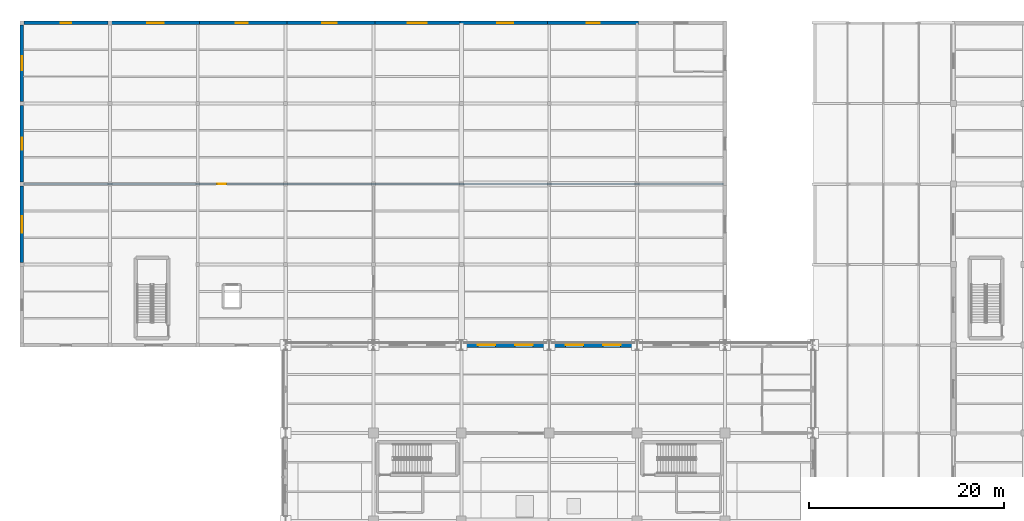
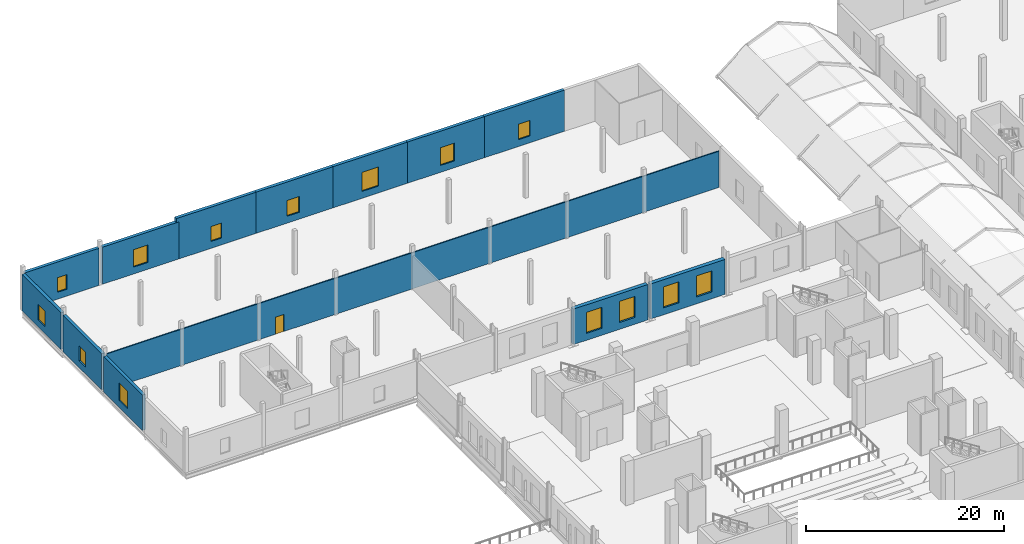
# One storey, part 120 of 141: 14 windows, 13 walls, 1 door, 15 openings.
"""IFC4 building model written with IfcOpenShell, lengths in metres."""

from ifc_helpers import new_model, si_unit, direction, frame, frame_2d, origin, place, context, subcontext, project, spatial, rectangle, extrude, material, layer, layer_set, type_object, element, fill, save


model = new_model("IFC4")

# Units and contexts
model_context = context("Model", 3, precision=1e-05, world=origin(), true_north=direction((0.0, 1.0)))
body_context = subcontext(model_context, "Body", "Model", "MODEL_VIEW")
ifc_project = project(units=[si_unit("LENGTHUNIT", "METRE"), si_unit("AREAUNIT", "SQUARE_METRE"), si_unit("VOLUMEUNIT", "CUBIC_METRE"), si_unit("PLANEANGLEUNIT", "RADIAN"), si_unit("MASSUNIT", "GRAM", prefix="KILO")], contexts=[model_context])

# Site, building, storey
site_placement = place(None, origin())
site = spatial("IfcSite", under=ifc_project, at=site_placement, CompositionType="ELEMENT")
building_placement = place(site_placement, origin())
building = spatial("IfcBuilding", under=site, at=building_placement, Name="Sundgate Opera House", CompositionType="ELEMENT")
storey_placement = place(building_placement, frame((0.0, 0.0, 11.39990234375)))
storey = spatial("IfcBuildingStorey", under=building, at=storey_placement, Name="L02", CompositionType="ELEMENT", Elevation=11.39990234375)

# Wall, opening, window
ifc_material_1 = material(Name="Scanian red-brown facing brick masonry", Category="masonry")
ifc_layer_1 = layer(ifc_material_1, 0.360107421875)
ifc_layer_set_1 = layer_set([ifc_layer_1], Name="Scanian red-brown facing brick masonry")
wall_type_1 = type_object("IfcWallType", Name="WL-EXT-BRICK-360", PredefinedType="SOLIDWALL", material=ifc_layer_set_1)
wall_1_placement = place(storey_placement, frame((0.195068359375, 120.0, 0.0), z_axis=(0.0, 0.0, 1.0), x_axis=(1.0, 0.0, 0.0)))
wall_1 = element("IfcWall", 1, at=wall_1_placement, inside=storey, type_object=wall_type_1, Name="L02 Costume Wing North Wall W0405", PredefinedType="SOLIDWALL", context=body_context, shape_type="SweptSolid", body=[
    extrude(rectangle(XDim=8.60986328125, YDim=0.360107421875, at=frame_2d((4.304931640625, 0.0))), origin(), (0.0, 0.0, 1.0), 4.585205078125),
])
opening_1_placement = place(wall_1_placement, frame((3.7548828125, 0.0, 0.85009765625)))
opening_1 = element("IfcOpeningElement", 2, at=opening_1_placement, cuts=wall_1, Name="Opening W12", PredefinedType="OPENING", context=body_context, shape_type="SweptSolid", body=[
    extrude(rectangle(XDim=1.10009765625, YDim=1.800048828125, at=frame_2d((0.550048828125, 0.89990234375))), frame((0.0, 0.18994140625, 0.0), z_axis=(0.0, -1.0, 0.0), x_axis=(1.0, 0.0, 0.0)), (0.0, 0.0, 1.0), 0.380126953125),
])
ifc_material_2 = material(Name="Low-iron triple glazing in patinated bronze frame", Category="glass")
window_type_1 = type_object("IfcWindowType", Name="WN-STAGE-1100x1800", PartitioningType="SINGLE_PANEL", PredefinedType="WINDOW", material=ifc_material_2)
window_1_placement = place(opening_1_placement, origin())
window_1 = element("IfcWindow", 3, at=window_1_placement, inside=storey, type_object=window_type_1, Name="L02 Costume Pavilion Window WN0318", OverallHeight=1.800048828125, OverallWidth=1.10009765625, PartitioningType="SINGLE_PANEL", PredefinedType="WINDOW", context=body_context, shape_type="SweptSolid", body=[
    extrude(rectangle(XDim=1.10009765625, YDim=1.800048828125, at=frame_2d((0.550048828125, 0.89990234375))), frame((0.0, 0.030029296875, 0.0), z_axis=(0.0, -1.0, 0.0), x_axis=(1.0, 0.0, 0.0)), (0.0, 0.0, 1.0), 0.06005859375),
])
fill(opening_1, window_1)

wall_2_placement = place(storey_placement, frame((9.195068359375, 120.0, 0.0), z_axis=(0.0, 0.0, 1.0), x_axis=(1.0, 0.0, 0.0)))
wall_2 = element("IfcWall", 4, at=wall_2_placement, inside=storey, type_object=wall_type_1, Name="L02 Costume Wing North Wall W0406", PredefinedType="SOLIDWALL", context=body_context, shape_type="SweptSolid", body=[
    extrude(rectangle(XDim=8.96484375, YDim=0.360107421875, at=frame_2d((4.482421875, 0.0))), origin(), (0.0, 0.0, 1.0), 4.585205078125),
])
opening_2_placement = place(wall_2_placement, frame((3.632080078125, 0.0, 0.85009765625)))
opening_2 = element("IfcOpeningElement", 5, at=opening_2_placement, cuts=wall_2, Name="Opening W13", PredefinedType="OPENING", context=body_context, shape_type="SweptSolid", body=[
    extrude(rectangle(XDim=1.699951171875, YDim=2.14990234375, at=frame_2d((0.85009765625, 1.074951171875))), frame((0.0, 0.18994140625, 0.0), z_axis=(0.0, -1.0, 0.0), x_axis=(1.0, 0.0, 0.0)), (0.0, 0.0, 1.0), 0.380126953125),
])
ifc_material_3 = material(Name="Low-iron triple glazing in patinated bronze frame", Category="glass")
window_type_2 = type_object("IfcWindowType", Name="WN-GALL-1700x2150", PartitioningType="SINGLE_PANEL", PredefinedType="WINDOW", material=ifc_material_3)
window_2_placement = place(opening_2_placement, origin())
window_2 = element("IfcWindow", 6, at=window_2_placement, inside=storey, type_object=window_type_2, Name="L02 Costume Pavilion Window WN0319", OverallHeight=2.14990234375, OverallWidth=1.699951171875, PartitioningType="SINGLE_PANEL", PredefinedType="WINDOW", context=body_context, shape_type="SweptSolid", body=[
    extrude(rectangle(XDim=1.699951171875, YDim=2.14990234375, at=frame_2d((0.85009765625, 1.074951171875))), frame((0.0, 0.030029296875, 0.0), z_axis=(0.0, -1.0, 0.0), x_axis=(1.0, 0.0, 0.0)), (0.0, 0.0, 1.0), 0.06005859375),
])
fill(opening_2, window_2)

wall_3_placement = place(storey_placement, frame((17.840087890625, 120.0, 0.0), z_axis=(0.0, 0.0, 1.0), x_axis=(1.0, 0.0, 0.0)))
wall_3 = element("IfcWall", 7, at=wall_3_placement, inside=storey, type_object=wall_type_1, Name="L02 Costume Wing North Wall W0407", PredefinedType="SOLIDWALL", context=body_context, shape_type="SweptSolid", body=[
    extrude(rectangle(XDim=9.31982421875, YDim=0.360107421875, at=frame_2d((4.659912109375, 0.0))), origin(), (0.0, 0.0, 1.0), 5.085205078125),
])
opening_3_placement = place(wall_3_placement, frame((4.034912109375, 0.0, 0.85009765625)))
opening_3 = element("IfcOpeningElement", 8, at=opening_3_placement, cuts=wall_3, Name="Opening W14", PredefinedType="OPENING", context=body_context, shape_type="SweptSolid", body=[
    extrude(rectangle(XDim=1.25, YDim=1.85009765625, at=frame_2d((0.625, 0.925048828125))), frame((0.0, 0.18994140625, 0.0), z_axis=(0.0, -1.0, 0.0), x_axis=(1.0, 0.0, 0.0)), (0.0, 0.0, 1.0), 0.380126953125),
])
ifc_material_4 = material(Name="Low-iron triple glazing in patinated bronze frame", Category="glass")
window_type_3 = type_object("IfcWindowType", Name="WN-DRES-1250x1850", PartitioningType="SINGLE_PANEL", PredefinedType="WINDOW", material=ifc_material_4)
window_3_placement = place(opening_3_placement, origin())
window_3 = element("IfcWindow", 9, at=window_3_placement, inside=storey, type_object=window_type_3, Name="L02 Costume Pavilion Window WN0320", OverallHeight=1.85009765625, OverallWidth=1.25, PartitioningType="SINGLE_PANEL", PredefinedType="WINDOW", context=body_context, shape_type="SweptSolid", body=[
    extrude(rectangle(XDim=1.25, YDim=1.85009765625, at=frame_2d((0.625, 0.925048828125))), frame((0.0, 0.030029296875, 0.0), z_axis=(0.0, -1.0, 0.0), x_axis=(1.0, 0.0, 0.0)), (0.0, 0.0, 1.0), 0.06005859375),
])
fill(opening_3, window_3)

wall_4_placement = place(storey_placement, frame((26.840087890625, 120.0, 0.0), z_axis=(0.0, 0.0, 1.0), x_axis=(1.0, 0.0, 0.0)))
wall_4 = element("IfcWall", 10, at=wall_4_placement, inside=storey, type_object=wall_type_1, Name="L02 Costume Wing North Wall W0408", PredefinedType="SOLIDWALL", context=body_context, shape_type="SweptSolid", body=[
    extrude(rectangle(XDim=9.31982421875, YDim=0.360107421875, at=frame_2d((4.659912109375, 0.0))), origin(), (0.0, 0.0, 1.0), 5.085205078125),
])
opening_4_placement = place(wall_4_placement, frame((3.93505859375, 0.0, 0.85009765625)))
opening_4 = element("IfcOpeningElement", 11, at=opening_4_placement, cuts=wall_4, Name="Opening W15", PredefinedType="OPENING", context=body_context, shape_type="SweptSolid", body=[
    extrude(rectangle(XDim=1.449951171875, YDim=1.949951171875, at=frame_2d((0.72509765625, 0.97509765625))), frame((0.0, 0.18994140625, 0.0), z_axis=(0.0, -1.0, 0.0), x_axis=(1.0, 0.0, 0.0)), (0.0, 0.0, 1.0), 0.380126953125),
])
ifc_material_5 = material(Name="Low-iron triple glazing in patinated bronze frame", Category="glass")
window_type_4 = type_object("IfcWindowType", Name="WN-LIBR-1450x1950", PartitioningType="SINGLE_PANEL", PredefinedType="WINDOW", material=ifc_material_5)
window_4_placement = place(opening_4_placement, origin())
window_4 = element("IfcWindow", 12, at=window_4_placement, inside=storey, type_object=window_type_4, Name="L02 Costume Pavilion Window WN0321", OverallHeight=1.949951171875, OverallWidth=1.449951171875, PartitioningType="SINGLE_PANEL", PredefinedType="WINDOW", context=body_context, shape_type="SweptSolid", body=[
    extrude(rectangle(XDim=1.449951171875, YDim=1.949951171875, at=frame_2d((0.72509765625, 0.97509765625))), frame((0.0, 0.030029296875, 0.0), z_axis=(0.0, -1.0, 0.0), x_axis=(1.0, 0.0, 0.0)), (0.0, 0.0, 1.0), 0.06005859375),
])
fill(opening_4, window_4)

wall_5_placement = place(storey_placement, frame((35.840087890625, 120.0, 0.0), z_axis=(0.0, 0.0, 1.0), x_axis=(1.0, 0.0, 0.0)))
wall_5 = element("IfcWall", 13, at=wall_5_placement, inside=storey, type_object=wall_type_1, Name="L02 Costume Wing North Wall W0409", PredefinedType="SOLIDWALL", context=body_context, shape_type="SweptSolid", body=[
    extrude(rectangle(XDim=9.31982421875, YDim=0.360107421875, at=frame_2d((4.659912109375, 0.0))), origin(), (0.0, 0.0, 1.0), 5.085205078125),
])
opening_5_placement = place(wall_5_placement, frame((3.68505859375, 0.0, 0.85009765625)))
opening_5 = element("IfcOpeningElement", 14, at=opening_5_placement, cuts=wall_5, Name="Opening W16", PredefinedType="OPENING", context=body_context, shape_type="SweptSolid", body=[
    extrude(rectangle(XDim=1.949951171875, YDim=2.35009765625, at=frame_2d((0.97509765625, 1.175048828125))), frame((0.0, 0.18994140625, 0.0), z_axis=(0.0, -1.0, 0.0), x_axis=(1.0, 0.0, 0.0)), (0.0, 0.0, 1.0), 0.380126953125),
])
ifc_material_6 = material(Name="Low-iron triple glazing in patinated bronze frame", Category="glass")
window_type_5 = type_object("IfcWindowType", Name="WN-REHR-1950x2350", PartitioningType="SINGLE_PANEL", PredefinedType="WINDOW", material=ifc_material_6)
window_5_placement = place(opening_5_placement, origin())
window_5 = element("IfcWindow", 15, at=window_5_placement, inside=storey, type_object=window_type_5, Name="L02 Costume Pavilion Window WN0322", OverallHeight=2.35009765625, OverallWidth=1.949951171875, PartitioningType="SINGLE_PANEL", PredefinedType="WINDOW", context=body_context, shape_type="SweptSolid", body=[
    extrude(rectangle(XDim=1.949951171875, YDim=2.35009765625, at=frame_2d((0.97509765625, 1.175048828125))), frame((0.0, 0.030029296875, 0.0), z_axis=(0.0, -1.0, 0.0), x_axis=(1.0, 0.0, 0.0)), (0.0, 0.0, 1.0), 0.06005859375),
])
fill(opening_5, window_5)

wall_6_placement = place(storey_placement, frame((44.840087890625, 120.0, 0.0), z_axis=(0.0, 0.0, 1.0), x_axis=(1.0, 0.0, 0.0)))
wall_6 = element("IfcWall", 16, at=wall_6_placement, inside=storey, type_object=wall_type_1, Name="L02 Costume Wing North Wall W0410", PredefinedType="SOLIDWALL", context=body_context, shape_type="SweptSolid", body=[
    extrude(rectangle(XDim=9.31982421875, YDim=0.360107421875, at=frame_2d((4.659912109375, 0.0))), origin(), (0.0, 0.0, 1.0), 5.085205078125),
])
opening_6_placement = place(wall_6_placement, frame((3.8349609375, 0.0, 0.85009765625)))
opening_6 = element("IfcOpeningElement", 17, at=opening_6_placement, cuts=wall_6, Name="Opening W09", PredefinedType="OPENING", context=body_context, shape_type="SweptSolid", body=[
    extrude(rectangle(XDim=1.64990234375, YDim=2.199951171875, at=frame_2d((0.824951171875, 1.10009765625))), frame((0.0, 0.18994140625, 0.0), z_axis=(0.0, -1.0, 0.0), x_axis=(1.0, 0.0, 0.0)), (0.0, 0.0, 1.0), 0.380126953125),
])
ifc_material_7 = material(Name="Low-iron triple glazing in patinated bronze frame", Category="glass")
window_type_6 = type_object("IfcWindowType", Name="WN-COST-1650x2200", PartitioningType="SINGLE_PANEL", PredefinedType="WINDOW", material=ifc_material_7)
window_6_placement = place(opening_6_placement, origin())
window_6 = element("IfcWindow", 18, at=window_6_placement, inside=storey, type_object=window_type_6, Name="L02 Costume Pavilion Window WN0323", OverallHeight=2.199951171875, OverallWidth=1.64990234375, PartitioningType="SINGLE_PANEL", PredefinedType="WINDOW", context=body_context, shape_type="SweptSolid", body=[
    extrude(rectangle(XDim=1.64990234375, YDim=2.199951171875, at=frame_2d((0.824951171875, 1.10009765625))), frame((0.0, 0.030029296875, 0.0), z_axis=(0.0, -1.0, 0.0), x_axis=(1.0, 0.0, 0.0)), (0.0, 0.0, 1.0), 0.06005859375),
])
fill(opening_6, window_6)

wall_7_placement = place(storey_placement, frame((53.840087890625, 120.0, 0.0), z_axis=(0.0, 0.0, 1.0), x_axis=(1.0, 0.0, 0.0)))
wall_7 = element("IfcWall", 19, at=wall_7_placement, inside=storey, type_object=wall_type_1, Name="L02 Costume Wing North Wall W0411", PredefinedType="SOLIDWALL", context=body_context, shape_type="SweptSolid", body=[
    extrude(rectangle(XDim=9.31982421875, YDim=0.360107421875, at=frame_2d((4.659912109375, 0.0))), origin(), (0.0, 0.0, 1.0), 5.085205078125),
])
opening_7_placement = place(wall_7_placement, frame((3.985107421875, 0.0, 0.85009765625)))
opening_7 = element("IfcOpeningElement", 20, at=opening_7_placement, cuts=wall_7, Name="Opening W10", PredefinedType="OPENING", context=body_context, shape_type="SweptSolid", body=[
    extrude(rectangle(XDim=1.35009765625, YDim=1.89990234375, at=frame_2d((0.675048828125, 0.949951171875))), frame((0.0, 0.18994140625, 0.0), z_axis=(0.0, -1.0, 0.0), x_axis=(1.0, 0.0, 0.0)), (0.0, 0.0, 1.0), 0.380126953125),
])
ifc_material_8 = material(Name="Low-iron triple glazing in patinated bronze frame", Category="glass")
window_type_7 = type_object("IfcWindowType", Name="WN-COST-1350x1900", PartitioningType="SINGLE_PANEL", PredefinedType="WINDOW", material=ifc_material_8)
window_7_placement = place(opening_7_placement, origin())
window_7 = element("IfcWindow", 21, at=window_7_placement, inside=storey, type_object=window_type_7, Name="L02 Costume Pavilion Window WN0324", OverallHeight=1.89990234375, OverallWidth=1.35009765625, PartitioningType="SINGLE_PANEL", PredefinedType="WINDOW", context=body_context, shape_type="SweptSolid", body=[
    extrude(rectangle(XDim=1.35009765625, YDim=1.89990234375, at=frame_2d((0.675048828125, 0.949951171875))), frame((0.0, 0.030029296875, 0.0), z_axis=(0.0, -1.0, 0.0), x_axis=(1.0, 0.0, 0.0)), (0.0, 0.0, 1.0), 0.06005859375),
])
fill(opening_7, window_7)

wall_8_placement = place(storey_placement, frame((0.0, 103.304931640625, 0.0), z_axis=(0.0, 0.0, 1.0), x_axis=(0.0, -1.0, 0.0)))
wall_8 = element("IfcWall", 22, at=wall_8_placement, inside=storey, type_object=wall_type_1, Name="L02 Costume Wing West Wall W0414", PredefinedType="SOLIDWALL", context=body_context, shape_type="SweptSolid", body=[
    extrude(rectangle(XDim=7.85986328125, YDim=0.360107421875, at=frame_2d((3.929931640625, 0.0))), origin(), (0.0, 0.0, 1.0), 4.385009765625),
])
opening_8_placement = place(wall_8_placement, frame((3.080078125, 0.0, 0.85009765625)))
opening_8 = element("IfcOpeningElement", 23, at=opening_8_placement, cuts=wall_8, Name="Opening W13", PredefinedType="OPENING", context=body_context, shape_type="SweptSolid", body=[
    extrude(rectangle(XDim=1.699951171875, YDim=2.14990234375, at=frame_2d((0.85009765625, 1.074951171875))), frame((0.0, 0.18994140625, 0.0), z_axis=(0.0, -1.0, 0.0), x_axis=(1.0, 0.0, 0.0)), (0.0, 0.0, 1.0), 0.380126953125),
])
window_8_placement = place(opening_8_placement, origin())
window_8 = element("IfcWindow", 24, at=window_8_placement, inside=storey, type_object=window_type_2, Name="L02 Costume Pavilion Window WN0327", OverallHeight=2.14990234375, OverallWidth=1.699951171875, PartitioningType="SINGLE_PANEL", PredefinedType="WINDOW", context=body_context, shape_type="SweptSolid", body=[
    extrude(rectangle(XDim=1.699951171875, YDim=2.14990234375, at=frame_2d((0.85009765625, 1.074951171875))), frame((0.0, 0.030029296875, 0.0), z_axis=(0.0, -1.0, 0.0), x_axis=(1.0, 0.0, 0.0)), (0.0, 0.0, 1.0), 0.06005859375),
])
fill(opening_8, window_8)

wall_9_placement = place(storey_placement, frame((0.0, 111.554931640625, 0.0), z_axis=(0.0, 0.0, 1.0), x_axis=(0.0, -1.0, 0.0)))
wall_9 = element("IfcWall", 25, at=wall_9_placement, inside=storey, type_object=wall_type_1, Name="L02 Costume Wing West Wall W0415", PredefinedType="SOLIDWALL", context=body_context, shape_type="SweptSolid", body=[
    extrude(rectangle(XDim=7.85986328125, YDim=0.360107421875, at=frame_2d((3.929931640625, 0.0))), origin(), (0.0, 0.0, 1.0), 4.485107421875),
])
opening_9_placement = place(wall_9_placement, frame((3.304931640625, 0.0, 0.85009765625)))
opening_9 = element("IfcOpeningElement", 26, at=opening_9_placement, cuts=wall_9, Name="Opening W14", PredefinedType="OPENING", context=body_context, shape_type="SweptSolid", body=[
    extrude(rectangle(XDim=1.25, YDim=1.85009765625, at=frame_2d((0.625, 0.925048828125))), frame((0.0, 0.18994140625, 0.0), z_axis=(0.0, -1.0, 0.0), x_axis=(1.0, 0.0, 0.0)), (0.0, 0.0, 1.0), 0.380126953125),
])
window_9_placement = place(opening_9_placement, origin())
window_9 = element("IfcWindow", 27, at=window_9_placement, inside=storey, type_object=window_type_3, Name="L02 Costume Pavilion Window WN0328", OverallHeight=1.85009765625, OverallWidth=1.25, PartitioningType="SINGLE_PANEL", PredefinedType="WINDOW", context=body_context, shape_type="SweptSolid", body=[
    extrude(rectangle(XDim=1.25, YDim=1.85009765625, at=frame_2d((0.625, 0.925048828125))), frame((0.0, 0.030029296875, 0.0), z_axis=(0.0, -1.0, 0.0), x_axis=(1.0, 0.0, 0.0)), (0.0, 0.0, 1.0), 0.06005859375),
])
fill(opening_9, window_9)

wall_10_placement = place(storey_placement, frame((0.0, 119.804931640625, 0.0), z_axis=(0.0, 0.0, 1.0), x_axis=(0.0, -1.0, 0.0)))
wall_10 = element("IfcWall", 28, at=wall_10_placement, inside=storey, type_object=wall_type_1, Name="L02 Costume Wing West Wall W0416", PredefinedType="SOLIDWALL", context=body_context, shape_type="SweptSolid", body=[
    extrude(rectangle(XDim=7.85986328125, YDim=0.360107421875, at=frame_2d((3.929931640625, 0.0))), origin(), (0.0, 0.0, 1.0), 4.53515625),
])
opening_10_placement = place(wall_10_placement, frame((3.205078125, 0.0, 0.85009765625)))
opening_10 = element("IfcOpeningElement", 29, at=opening_10_placement, cuts=wall_10, Name="Opening W15", PredefinedType="OPENING", context=body_context, shape_type="SweptSolid", body=[
    extrude(rectangle(XDim=1.449951171875, YDim=1.949951171875, at=frame_2d((0.72509765625, 0.97509765625))), frame((0.0, 0.18994140625, 0.0), z_axis=(0.0, -1.0, 0.0), x_axis=(1.0, 0.0, 0.0)), (0.0, 0.0, 1.0), 0.380126953125),
])
window_10_placement = place(opening_10_placement, origin())
window_10 = element("IfcWindow", 30, at=window_10_placement, inside=storey, type_object=window_type_4, Name="L02 Costume Pavilion Window WN0329", OverallHeight=1.949951171875, OverallWidth=1.449951171875, PartitioningType="SINGLE_PANEL", PredefinedType="WINDOW", context=body_context, shape_type="SweptSolid", body=[
    extrude(rectangle(XDim=1.449951171875, YDim=1.949951171875, at=frame_2d((0.72509765625, 0.97509765625))), frame((0.0, 0.030029296875, 0.0), z_axis=(0.0, -1.0, 0.0), x_axis=(1.0, 0.0, 0.0)), (0.0, 0.0, 1.0), 0.06005859375),
])
fill(opening_10, window_10)

# Wall, openings, windows
ifc_material_9 = material(Name="Komstad limestone ashlar masonry", Category="masonry")
ifc_layer_2 = layer(ifc_material_9, 0.43994140625)
ifc_layer_set_2 = layer_set([ifc_layer_2], Name="Komstad limestone ashlar masonry")
wall_type_2 = type_object("IfcWallType", Name="WL-EXT-LIME-440", PredefinedType="SOLIDWALL", material=ifc_layer_set_2)
wall_11_placement = place(storey_placement, frame((45.14501953125, 87.0, 0.0), z_axis=(0.0, 0.0, 1.0), x_axis=(1.0, 0.0, 0.0)))
wall_11 = element("IfcWall", 31, at=wall_11_placement, inside=storey, type_object=wall_type_2, Name="L02 Lifted Cube North Relief Wall W0050", PredefinedType="SOLIDWALL", context=body_context, shape_type="SweptSolid", body=[
    extrude(rectangle(XDim=8.7099609375, YDim=0.43994140625, at=frame_2d((4.35498046875, 0.0))), origin(), (0.0, 0.0, 1.0), 4.385009765625),
])
opening_11_placement = place(wall_11_placement, frame((1.5390625, 0.0, 0.85009765625)))
opening_11 = element("IfcOpeningElement", 32, at=opening_11_placement, cuts=wall_11, Name="Opening W01", PredefinedType="OPENING", context=body_context, shape_type="SweptSolid", body=[
    extrude(rectangle(XDim=1.800048828125, YDim=2.60009765625, at=frame_2d((0.89990234375, 1.300048828125))), frame((0.0, 0.22998046875, 0.0), z_axis=(0.0, -1.0, 0.0), x_axis=(1.0, 0.0, 0.0)), (0.0, 0.0, 1.0), 0.4599609375),
])
opening_12_placement = place(wall_11_placement, frame((5.37109375, 0.0, 0.85009765625)))
opening_12 = element("IfcOpeningElement", 33, at=opening_12_placement, cuts=wall_11, Name="Opening W01", PredefinedType="OPENING", context=body_context, shape_type="SweptSolid", body=[
    extrude(rectangle(XDim=1.800048828125, YDim=2.60009765625, at=frame_2d((0.89990234375, 1.300048828125))), frame((0.0, 0.22998046875, 0.0), z_axis=(0.0, -1.0, 0.0), x_axis=(1.0, 0.0, 0.0)), (0.0, 0.0, 1.0), 0.4599609375),
])
ifc_material_10 = material(Name="Low-iron triple glazing in patinated bronze frame", Category="glass")
window_type_8 = type_object("IfcWindowType", Name="WN-CUBE-1800x2600", PartitioningType="SINGLE_PANEL", PredefinedType="WINDOW", material=ifc_material_10)
window_11_placement = place(opening_11_placement, origin())
window_11 = element("IfcWindow", 34, at=window_11_placement, inside=storey, type_object=window_type_8, Name="L02 Cube Loggia Window WN0007", OverallHeight=2.60009765625, OverallWidth=1.800048828125, PartitioningType="SINGLE_PANEL", PredefinedType="WINDOW", context=body_context, shape_type="SweptSolid", body=[
    extrude(rectangle(XDim=1.800048828125, YDim=2.60009765625, at=frame_2d((0.89990234375, 1.300048828125))), frame((0.0, 0.030029296875, 0.0), z_axis=(0.0, -1.0, 0.0), x_axis=(1.0, 0.0, 0.0)), (0.0, 0.0, 1.0), 0.06005859375),
])
fill(opening_11, window_11)
window_12_placement = place(opening_12_placement, origin())
window_12 = element("IfcWindow", 35, at=window_12_placement, inside=storey, type_object=window_type_8, Name="L02 Cube Loggia Window WN0008", OverallHeight=2.60009765625, OverallWidth=1.800048828125, PartitioningType="SINGLE_PANEL", PredefinedType="WINDOW", context=body_context, shape_type="SweptSolid", body=[
    extrude(rectangle(XDim=1.800048828125, YDim=2.60009765625, at=frame_2d((0.89990234375, 1.300048828125))), frame((0.0, 0.030029296875, 0.0), z_axis=(0.0, -1.0, 0.0), x_axis=(1.0, 0.0, 0.0)), (0.0, 0.0, 1.0), 0.06005859375),
])
fill(opening_12, window_12)

wall_12_placement = place(storey_placement, frame((54.14501953125, 87.0, 0.0), z_axis=(0.0, 0.0, 1.0), x_axis=(1.0, 0.0, 0.0)))
wall_12 = element("IfcWall", 36, at=wall_12_placement, inside=storey, type_object=wall_type_2, Name="L02 Lifted Cube North Relief Wall W0052", PredefinedType="SOLIDWALL", context=body_context, shape_type="SweptSolid", body=[
    extrude(rectangle(XDim=8.7099609375, YDim=0.43994140625, at=frame_2d((4.35498046875, 0.0))), origin(), (0.0, 0.0, 1.0), 4.335205078125),
])
opening_13_placement = place(wall_12_placement, frame((1.5390625, 0.0, 0.85009765625)))
opening_13 = element("IfcOpeningElement", 37, at=opening_13_placement, cuts=wall_12, Name="Opening W01", PredefinedType="OPENING", context=body_context, shape_type="SweptSolid", body=[
    extrude(rectangle(XDim=1.800048828125, YDim=2.60009765625, at=frame_2d((0.89990234375, 1.300048828125))), frame((0.0, 0.22998046875, 0.0), z_axis=(0.0, -1.0, 0.0), x_axis=(1.0, 0.0, 0.0)), (0.0, 0.0, 1.0), 0.4599609375),
])
opening_14_placement = place(wall_12_placement, frame((5.37109375, 0.0, 0.85009765625)))
opening_14 = element("IfcOpeningElement", 38, at=opening_14_placement, cuts=wall_12, Name="Opening W01", PredefinedType="OPENING", context=body_context, shape_type="SweptSolid", body=[
    extrude(rectangle(XDim=1.800048828125, YDim=2.60009765625, at=frame_2d((0.89990234375, 1.300048828125))), frame((0.0, 0.22998046875, 0.0), z_axis=(0.0, -1.0, 0.0), x_axis=(1.0, 0.0, 0.0)), (0.0, 0.0, 1.0), 0.4599609375),
])
window_13_placement = place(opening_13_placement, origin())
window_13 = element("IfcWindow", 39, at=window_13_placement, inside=storey, type_object=window_type_8, Name="L02 Cube Loggia Window WN0011", OverallHeight=2.60009765625, OverallWidth=1.800048828125, PartitioningType="SINGLE_PANEL", PredefinedType="WINDOW", context=body_context, shape_type="SweptSolid", body=[
    extrude(rectangle(XDim=1.800048828125, YDim=2.60009765625, at=frame_2d((0.89990234375, 1.300048828125))), frame((0.0, 0.030029296875, 0.0), z_axis=(0.0, -1.0, 0.0), x_axis=(1.0, 0.0, 0.0)), (0.0, 0.0, 1.0), 0.06005859375),
])
fill(opening_13, window_13)
window_14_placement = place(opening_14_placement, origin())
window_14 = element("IfcWindow", 40, at=window_14_placement, inside=storey, type_object=window_type_8, Name="L02 Cube Loggia Window WN0012", OverallHeight=2.60009765625, OverallWidth=1.800048828125, PartitioningType="SINGLE_PANEL", PredefinedType="WINDOW", context=body_context, shape_type="SweptSolid", body=[
    extrude(rectangle(XDim=1.800048828125, YDim=2.60009765625, at=frame_2d((0.89990234375, 1.300048828125))), frame((0.0, 0.030029296875, 0.0), z_axis=(0.0, -1.0, 0.0), x_axis=(1.0, 0.0, 0.0)), (0.0, 0.0, 1.0), 0.06005859375),
])
fill(opening_14, window_14)

# Wall, opening, door
ifc_material_11 = material(Name="Office and library partition", Category="gypsum")
ifc_layer_3 = layer(ifc_material_11, 0.1298828125)
ifc_layer_set_3 = layer_set([ifc_layer_3], Name="Office and library partition")
wall_type_3 = type_object("IfcWallType", Name="WL-INT-PART-130", PredefinedType="PARTITIONING", material=ifc_layer_set_3)
wall_13_placement = place(storey_placement, frame((0.199951171875, 103.5, 0.0), z_axis=(0.0, 0.0, 1.0), x_axis=(1.0, 0.0, 0.0)))
wall_13 = element("IfcWall", 41, at=wall_13_placement, inside=storey, type_object=wall_type_3, Name="L02 Interior Partition W1065", PredefinedType="PARTITIONING", context=body_context, shape_type="SweptSolid", body=[
    extrude(rectangle(XDim=71.60009765625, YDim=0.1298828125, at=frame_2d((35.800048828125, 0.0))), origin(), (0.0, 0.0, 1.0), 4.47509765625),
])
opening_15_placement = place(wall_13_placement, frame((19.781982421875, 0.0, 0.0)))
opening_15 = element("IfcOpeningElement", 42, at=opening_15_placement, cuts=wall_13, Name="Opening DI11", PredefinedType="OPENING", context=body_context, shape_type="SweptSolid", body=[
    extrude(rectangle(XDim=0.949951171875, YDim=2.10009765625, at=frame_2d((0.47509765625, 1.050048828125))), frame((0.0, 0.074951171875, 0.0), z_axis=(0.0, -1.0, 0.0), x_axis=(1.0, 0.0, 0.0)), (0.0, 0.0, 1.0), 0.14990234375),
])
ifc_material_12 = material(Name="Acoustic hardwood timber and steel core", Category="steel")
door_type = type_object("IfcDoorType", Name="DR-UNR-950x2100", OperationType="NOTDEFINED", PredefinedType="DOOR", material=ifc_material_12)
door_placement = place(opening_15_placement, origin())
door = element("IfcDoor", 43, at=door_placement, inside=storey, type_object=door_type, Name="L02 Interior Door D0225", OperationType="SINGLE_SWING_RIGHT", OverallHeight=2.10009765625, OverallWidth=0.949951171875, PredefinedType="DOOR", context=body_context, shape_type="SweptSolid", body=[
    extrude(rectangle(XDim=0.949951171875, YDim=2.10009765625, at=frame_2d((0.47509765625, 1.050048828125))), frame((0.0, 0.02490234375, 0.0), z_axis=(0.0, -1.0, 0.0), x_axis=(1.0, 0.0, 0.0)), (0.0, 0.0, 1.0), 0.050048828125),
])
fill(opening_15, door)

save(model, "model.ifc")
